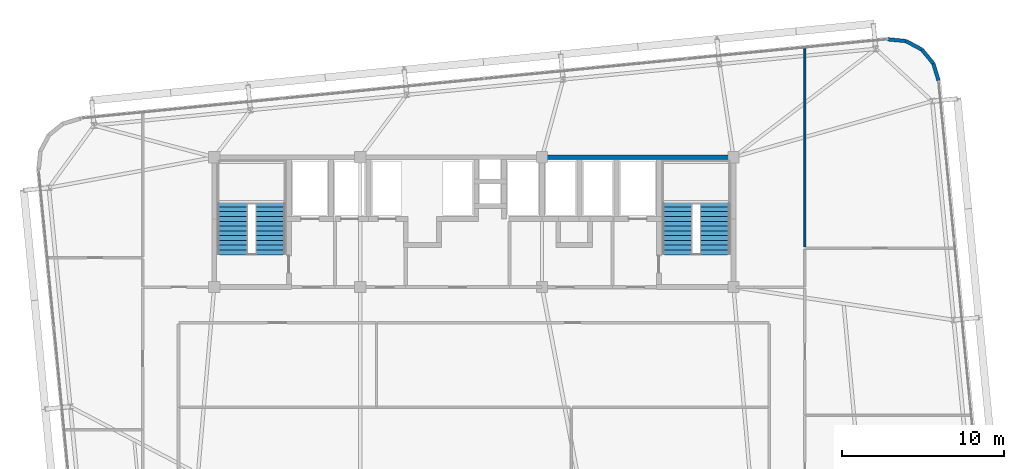
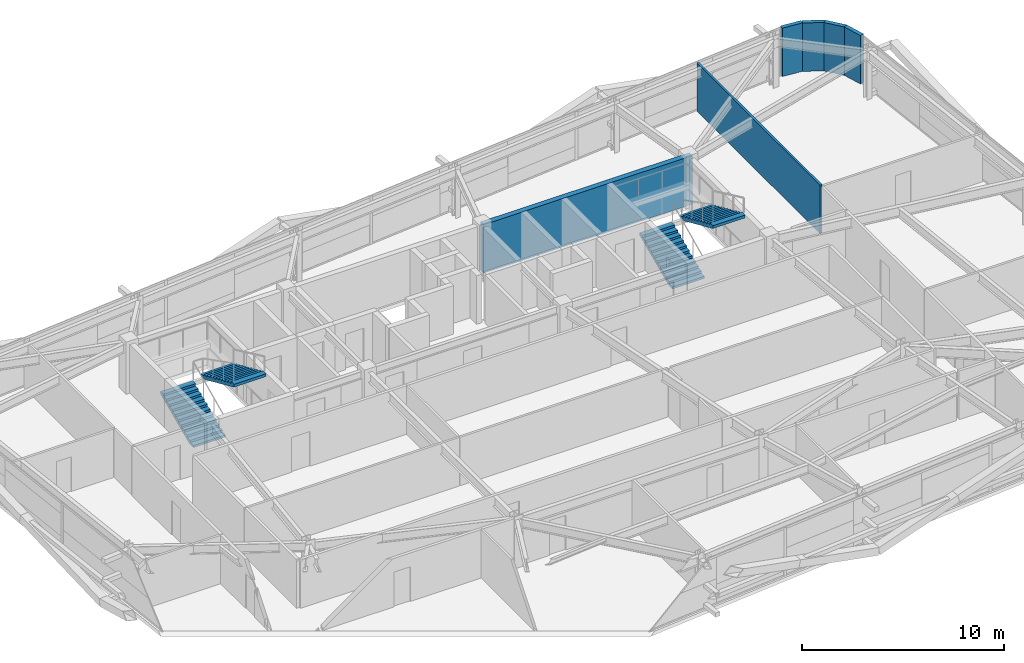
# One storey, part 44 of 47: 6 walls, 4 stair flights, 2 elements without a shape of their own.
"""IFC4 building model written with IfcOpenShell, lengths in metres."""

from ifc_helpers import new_model, si_unit, direction, frame, frame_2d, origin, place, context, subcontext, project, spatial, polyline, rectangle, outline, extrude, source, transform, mapped, material, layer, layer_set, type_object, element, aggregate, save


model = new_model("IFC4")

# Units and contexts
model_context = context("Model", 3, precision=1e-05, world=origin(), true_north=direction((0.0, 1.0)))
body_context = subcontext(model_context, "Body", "Model", "MODEL_VIEW")
ifc_project = project(units=[si_unit("LENGTHUNIT", "METRE"), si_unit("AREAUNIT", "SQUARE_METRE"), si_unit("VOLUMEUNIT", "CUBIC_METRE"), si_unit("PLANEANGLEUNIT", "RADIAN"), si_unit("MASSUNIT", "GRAM", prefix="KILO")], contexts=[model_context])

# Site, building, storey
site_placement = place(None, origin())
site = spatial("IfcSite", under=ifc_project, at=site_placement, CompositionType="ELEMENT")
building_placement = place(site_placement, origin())
building = spatial("IfcBuilding", under=site, at=building_placement, Name="Taldren Reach Tower", CompositionType="ELEMENT")
storey_placement = place(building_placement, frame((0.0, 0.0, 90.300048828125)))
storey = spatial("IfcBuildingStorey", under=building, at=storey_placement, Name="L27", CompositionType="ELEMENT", Elevation=90.300048828125)

# Walls
ifc_material_1 = material(Name="Pale Champagne Anodised Aluminium Cladding", Category="aluminium")
ifc_layer_1 = layer(ifc_material_1, 0.04, Name="Pale Champagne Anodised Aluminium Cladding", Category="aluminium")
ifc_material_2 = material(Name="Mineral Wool Acoustic Insulation", Category="insulation")
ifc_layer_2 = layer(ifc_material_2, 0.06, Name="Mineral Wool Acoustic Insulation", Category="insulation")
ifc_material_3 = material(Name="Steel Gr 350 (C350L0)", Category="steel")
ifc_layer_3 = layer(ifc_material_3, 0.12, Name="Steel Gr 350 (C350L0)", Category="steel")
ifc_layer_set_1 = layer_set([ifc_layer_1, ifc_layer_2, ifc_layer_3], Name="Pale Champagne Aluminium Cladding and Steel Gr 350 Stud Framing")
wall_type_1 = type_object("IfcWallType", Name="EW-CRN-220", PredefinedType="SOLIDWALL", material=ifc_layer_set_1)
shared_shape_1 = source(origin(), body_context, "Body", "SweptSolid", [
    extrude(rectangle(XDim=1.115966796875, YDim=0.219970703125, at=frame_2d((0.55810546875, 0.0))), origin(), (0.0, 0.0, 1.0), 2.929931640625),
])
for number, where, z_axis, x_axis, name in (
    (1, (63.6376953125, 36.6982421875, 0.0), (0.0, 0.0, 1.0), (-0.289855603468, 0.957070388811, 0.0), "Rounded-corner pale-metal facade wall L27-NE1"),
    (2, (62.606689453125, 38.629150390625, 0.0), (0.0, 0.0, 1.0), (-0.881655534635, 0.471893545461, 0.0), "Rounded-corner pale-metal facade wall L27-NE3"),
    (3, (61.622802734375, 39.15576171875, 0.0), (0.0, 0.0, 1.0), (-0.995142755671, 0.09844234778, 0.0), "Rounded-corner pale-metal facade wall L27-NE4"),
):
    element("IfcWall", number, at=place(storey_placement, frame(where, z_axis=z_axis, x_axis=x_axis)), inside=storey, type_object=wall_type_1, Name=name, PredefinedType="SOLIDWALL", context=body_context, shape_type="MappedRepresentation", body=[
        mapped(shared_shape_1, transform((0.0, 0.0, 0.0), scale=1.0)),
    ])
shared_shape_2 = source(origin(), body_context, "Body", "SweptSolid", [
    extrude(rectangle(XDim=1.11572265625, YDim=0.219970703125, at=frame_2d((0.557861328125, 0.0))), origin(), (0.0, 0.0, 1.0), 2.929931640625),
])
wall_1_placement = place(storey_placement, frame((63.314208984375, 37.766357421875, 0.0), z_axis=(0.0, 0.0, 1.0), x_axis=(-0.634095287989, 0.773254916409, 0.0)))
element("IfcWall", 4, at=wall_1_placement, inside=storey, type_object=wall_type_1, Name="Rounded-corner pale-metal facade wall L27-NE2", PredefinedType="SOLIDWALL", context=body_context, shape_type="MappedRepresentation", body=[
    mapped(shared_shape_2, transform((0.0, 0.0, 0.0), scale=1.0)),
])
ifc_material_4 = material(Name="Concrete S65 (65 MPa)", Category="concrete")
ifc_layer_4 = layer(ifc_material_4, 0.300048828125)
ifc_layer_set_2 = layer_set([ifc_layer_4], Name="Concrete S65 (65 MPa)")
wall_type_2 = type_object("IfcWallType", Name="IW-CORE-300", PredefinedType="SHEAR", material=ifc_layer_set_2)
shared_shape_3 = source(origin(), body_context, "Body", "SweptSolid", [
    extrude(rectangle(XDim=11.949951171875, YDim=0.300048828125, at=frame_2d((5.97509765625, 0.0))), origin(), (0.0, 0.0, 1.0), 2.929931640625),
])
wall_2_placement = place(storey_placement, frame((39.199951171875, 32.0, 0.0), z_axis=(0.0, 0.0, 1.0), x_axis=(1.0, 0.0, 0.0)))
element("IfcWall", 5, at=wall_2_placement, inside=storey, type_object=wall_type_2, Name="Rear Core Shear Wall W-CORE-L27-NORTH3", PredefinedType="SHEAR", context=body_context, shape_type="MappedRepresentation", body=[
    mapped(shared_shape_3, transform((0.0, 0.0, 0.0), scale=1.0)),
])
ifc_material_5 = material(Name="Insulated Residential Stud Partition", Category="gypsum")
ifc_layer_5 = layer(ifc_material_5, 0.1201171875)
ifc_layer_set_3 = layer_set([ifc_layer_5], Name="Insulated Residential Stud Partition")
wall_type_3 = type_object("IfcWallType", Name="IW-PART-120", PredefinedType="PARTITIONING", material=ifc_layer_set_3)
shared_shape_4 = source(origin(), body_context, "Body", "SweptSolid", [
    extrude(rectangle(XDim=12.20166015625, YDim=0.1201171875, at=frame_2d((6.100830078125, 0.0))), origin(), (0.0, 0.0, 1.0), 2.929931640625),
])
wall_3_placement = place(storey_placement, frame((55.39990234375, 26.47998046875, 0.0), z_axis=(0.0, 0.0, 1.0), x_axis=(0.0, 1.0, 0.0)))
element("IfcWall", 6, at=wall_3_placement, inside=storey, type_object=wall_type_3, Name="Interior Partition Wall W-INT-L27-082", PredefinedType="PARTITIONING", context=body_context, shape_type="MappedRepresentation", body=[
    mapped(shared_shape_4, transform((0.0, 0.0, 0.0), scale=1.0)),
])

# Stair, stair flights
ifc_material_6 = material(Name="Concrete S50 (50 MPa)", Category="concrete")
stair_type = type_object("IfcStairType", Name="ST-HT-315", PredefinedType="HALF_TURN_STAIR", material=ifc_material_6)
stair_1_placement = place(storey_placement, origin())
stair_1 = element("IfcStair", 7, at=stair_1_placement, inside=storey, type_object=stair_type, Name="Fire-isolated exit stair ST1 L27", PredefinedType="HALF_TURN_STAIR")
stair_flight_type = type_object("IfcStairFlightType", Name="SF-STR-315", PredefinedType="STRAIGHT", material=ifc_material_6)
stair_flight_1_placement = place(storey_placement, frame((20.139892578125, 25.989990234375, 0.0), z_axis=(0.0, 0.0, 1.0), x_axis=(0.0, 1.0, 0.0)))
stair_flight_1 = element("IfcStairFlight", 8, at=stair_flight_1_placement, type_object=stair_flight_type, Name="ST1 flight 1", NumberOfRisers=12, NumberOfTreads=11, PredefinedType="STRAIGHT", RiserHeight=0.13125, TreadLength=0.295, context=body_context, shape_type="SweptSolid", body=[
    extrude(outline(polyline([(0.0, 0.0), (0.0, 0.13134765625), (0.294921875, 0.13134765625), (0.294921875, 0.262451171875), (0.590087890625, 0.262451171875), (0.590087890625, 0.393798828125), (0.885009765625, 0.393798828125), (0.885009765625, 0.52490234375), (1.179931640625, 0.52490234375), (1.179931640625, 0.65625), (1.47509765625, 0.65625), (1.47509765625, 0.78759765625), (1.77001953125, 0.78759765625), (1.77001953125, 0.918701171875), (2.06494140625, 0.918701171875), (2.06494140625, 1.050048828125), (2.360107421875, 1.050048828125), (2.360107421875, 1.18115234375), (2.655029296875, 1.18115234375), (2.655029296875, 1.3125), (2.949951171875, 1.3125), (2.949951171875, 1.44384765625), (3.2451171875, 1.44384765625), (3.2451171875, 1.574951171875), (3.2451171875, 1.268798828125), (0.393310546875, 0.0), (0.0, 0.0)])), frame((0.0, 0.919921875, 0.0), z_axis=(0.0, -1.0, 0.0), x_axis=(1.0, 0.0, 0.0)), (0.0, 0.0, 1.0), 1.840087890625),
])
stair_flight_2_placement = place(storey_placement, frame((22.4599609375, 29.235107421875, 1.574951171875), z_axis=(0.0, 0.0, 1.0), x_axis=(0.0, -1.0, 0.0)))
stair_flight_2 = element("IfcStairFlight", 9, at=stair_flight_2_placement, type_object=stair_flight_type, Name="ST1 flight 2", NumberOfRisers=12, NumberOfTreads=11, PredefinedType="STRAIGHT", RiserHeight=0.13125, TreadLength=0.295, context=body_context, shape_type="SweptSolid", body=[
    extrude(outline(polyline([(0.0, 0.0), (0.0, 0.13134765625), (0.294921875, 0.13134765625), (0.294921875, 0.262451171875), (0.590087890625, 0.262451171875), (0.590087890625, 0.393798828125), (0.885009765625, 0.393798828125), (0.885009765625, 0.52490234375), (1.179931640625, 0.52490234375), (1.179931640625, 0.65625), (1.47509765625, 0.65625), (1.47509765625, 0.78759765625), (1.77001953125, 0.78759765625), (1.77001953125, 0.918701171875), (2.06494140625, 0.918701171875), (2.06494140625, 1.050048828125), (2.360107421875, 1.050048828125), (2.360107421875, 1.18115234375), (2.655029296875, 1.18115234375), (2.655029296875, 1.3125), (2.949951171875, 1.3125), (2.949951171875, 1.44384765625), (3.2451171875, 1.44384765625), (3.2451171875, 1.574951171875), (3.2451171875, 1.268798828125), (0.393310546875, 0.0), (0.0, 0.0)])), frame((0.0, 0.919921875, 0.0), z_axis=(0.0, -1.0, 0.0), x_axis=(1.0, 0.0, 0.0)), (0.0, 0.0, 1.0), 1.840087890625),
])
aggregate(stair_1, [stair_flight_1, stair_flight_2])

stair_2_placement = place(storey_placement, origin())
stair_2 = element("IfcStair", 10, at=stair_2_placement, inside=storey, type_object=stair_type, Name="Fire-isolated exit stair ST2 L27", PredefinedType="HALF_TURN_STAIR")
stair_flight_3_placement = place(storey_placement, frame((47.5400390625, 25.989990234375, 0.0), z_axis=(0.0, 0.0, 1.0), x_axis=(0.0, 1.0, 0.0)))
stair_flight_3 = element("IfcStairFlight", 11, at=stair_flight_3_placement, type_object=stair_flight_type, Name="ST2 flight 1", NumberOfRisers=12, NumberOfTreads=11, PredefinedType="STRAIGHT", RiserHeight=0.13125, TreadLength=0.295, context=body_context, shape_type="SweptSolid", body=[
    extrude(outline(polyline([(0.0, 0.0), (0.0, 0.13134765625), (0.294921875, 0.13134765625), (0.294921875, 0.262451171875), (0.590087890625, 0.262451171875), (0.590087890625, 0.393798828125), (0.885009765625, 0.393798828125), (0.885009765625, 0.52490234375), (1.179931640625, 0.52490234375), (1.179931640625, 0.65625), (1.47509765625, 0.65625), (1.47509765625, 0.78759765625), (1.77001953125, 0.78759765625), (1.77001953125, 0.918701171875), (2.06494140625, 0.918701171875), (2.06494140625, 1.050048828125), (2.360107421875, 1.050048828125), (2.360107421875, 1.18115234375), (2.655029296875, 1.18115234375), (2.655029296875, 1.3125), (2.949951171875, 1.3125), (2.949951171875, 1.44384765625), (3.2451171875, 1.44384765625), (3.2451171875, 1.574951171875), (3.2451171875, 1.268798828125), (0.393310546875, 0.0), (0.0, 0.0)])), frame((0.0, 0.919921875, 0.0), z_axis=(0.0, -1.0, 0.0), x_axis=(1.0, 0.0, 0.0)), (0.0, 0.0, 1.0), 1.840087890625),
])
stair_flight_4_placement = place(storey_placement, frame((49.860107421875, 29.235107421875, 1.574951171875), z_axis=(0.0, 0.0, 1.0), x_axis=(0.0, -1.0, 0.0)))
stair_flight_4 = element("IfcStairFlight", 12, at=stair_flight_4_placement, type_object=stair_flight_type, Name="ST2 flight 2", NumberOfRisers=12, NumberOfTreads=11, PredefinedType="STRAIGHT", RiserHeight=0.13125, TreadLength=0.295, context=body_context, shape_type="SweptSolid", body=[
    extrude(outline(polyline([(0.0, 0.0), (0.0, 0.13134765625), (0.294921875, 0.13134765625), (0.294921875, 0.262451171875), (0.590087890625, 0.262451171875), (0.590087890625, 0.393798828125), (0.885009765625, 0.393798828125), (0.885009765625, 0.52490234375), (1.179931640625, 0.52490234375), (1.179931640625, 0.65625), (1.47509765625, 0.65625), (1.47509765625, 0.78759765625), (1.77001953125, 0.78759765625), (1.77001953125, 0.918701171875), (2.06494140625, 0.918701171875), (2.06494140625, 1.050048828125), (2.360107421875, 1.050048828125), (2.360107421875, 1.18115234375), (2.655029296875, 1.18115234375), (2.655029296875, 1.3125), (2.949951171875, 1.3125), (2.949951171875, 1.44384765625), (3.2451171875, 1.44384765625), (3.2451171875, 1.574951171875), (3.2451171875, 1.268798828125), (0.393310546875, 0.0), (0.0, 0.0)])), frame((0.0, 0.919921875, 0.0), z_axis=(0.0, -1.0, 0.0), x_axis=(1.0, 0.0, 0.0)), (0.0, 0.0, 1.0), 1.840087890625),
])
aggregate(stair_2, [stair_flight_3, stair_flight_4])

save(model, "model.ifc")
